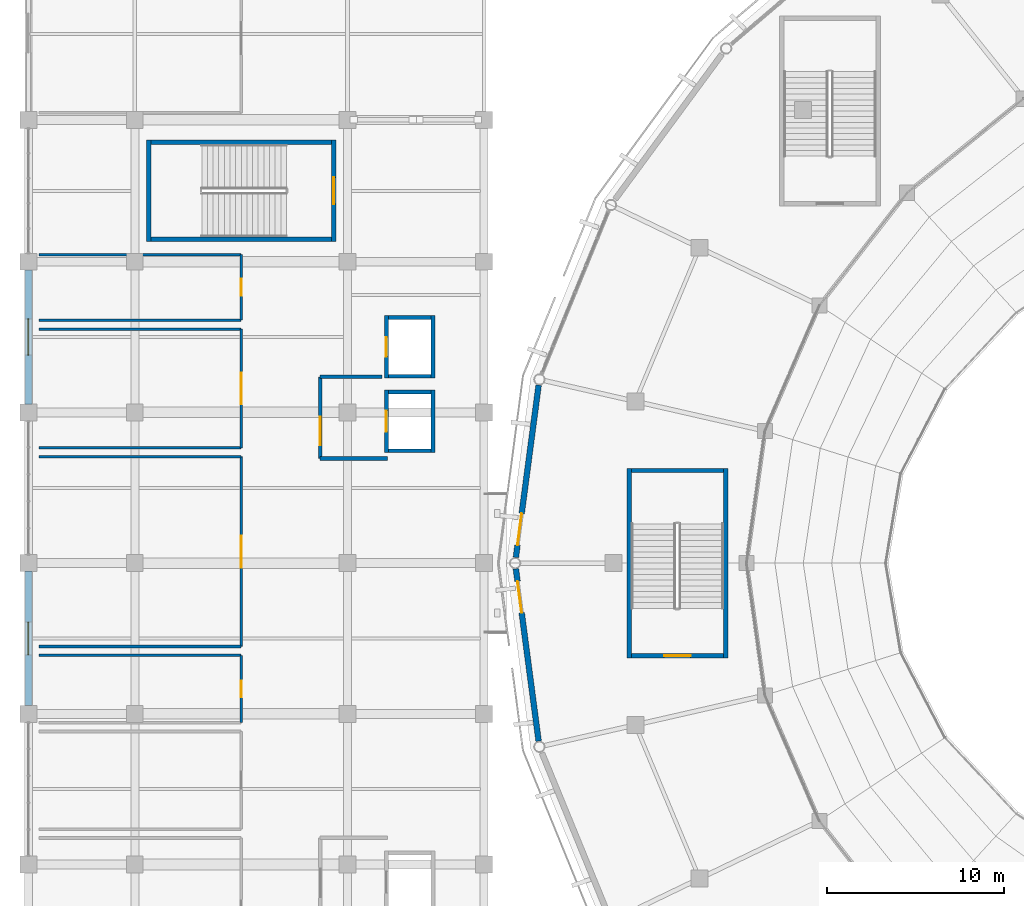
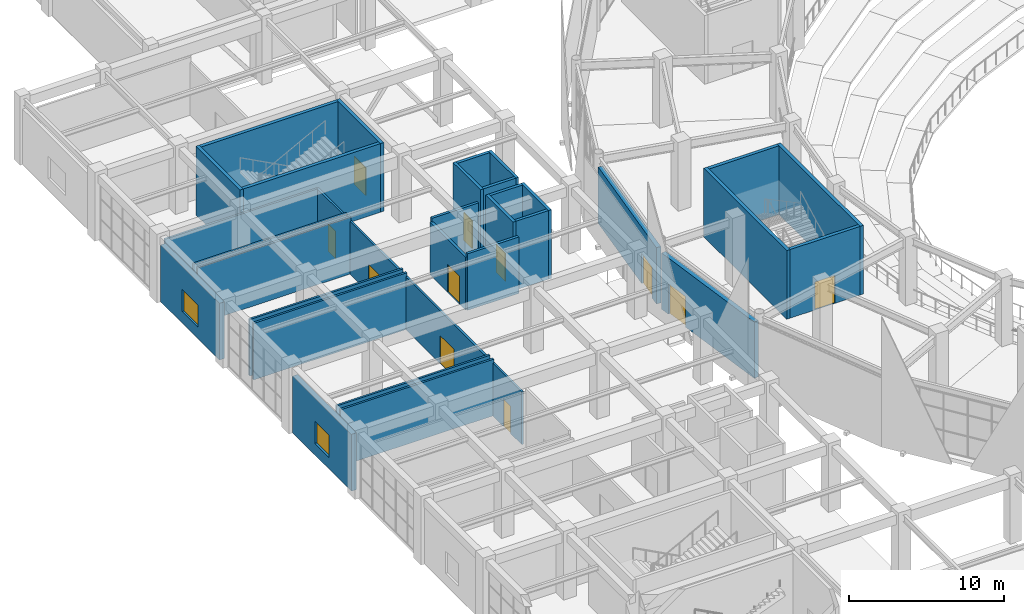
# One storey, part 77 of 120: 34 walls, 11 doors, 2 windows, 13 openings.
"""IFC4 building model written with IfcOpenShell, lengths in metres."""

from ifc_helpers import new_model, si_unit, direction, frame, frame_2d, origin, place, context, subcontext, project, spatial, rectangle, extrude, material, layer, layer_set, type_object, element, fill, save


model = new_model("IFC4")

# Units and contexts
model_context = context("Model", 3, precision=1e-05, world=origin(), true_north=direction((0.0, 1.0)))
body_context = subcontext(model_context, "Body", "Model", "MODEL_VIEW")
ifc_project = project(units=[si_unit("LENGTHUNIT", "METRE"), si_unit("AREAUNIT", "SQUARE_METRE"), si_unit("VOLUMEUNIT", "CUBIC_METRE"), si_unit("PLANEANGLEUNIT", "RADIAN"), si_unit("MASSUNIT", "GRAM", prefix="KILO")], contexts=[model_context])

# Site, building, storey
site_placement = place(None, origin())
site = spatial("IfcSite", under=ifc_project, at=site_placement, CompositionType="ELEMENT")
building_placement = place(site_placement, origin())
building = spatial("IfcBuilding", under=site, at=building_placement, Name="Cuetzalor Civic Arena", CompositionType="ELEMENT")
storey_placement = place(building_placement, frame((0.0, 0.0, 6.0)))
storey = spatial("IfcBuildingStorey", under=building, at=storey_placement, Name="L01", CompositionType="ELEMENT", Elevation=6.0)

# Wall
ifc_material_1 = material(Name="Acoustic steel-stud gypsum partition", Category="steel")
ifc_layer_1 = layer(ifc_material_1, 0.14990234375)
ifc_layer_set_1 = layer_set([ifc_layer_1], Name="Acoustic steel-stud gypsum partition")
wall_type_1 = type_object("IfcWallType", Name="AcousticGypsumPartition_150", PredefinedType="PARTITIONING", material=ifc_layer_set_1)
wall_1_placement = place(storey_placement, frame((-81.39990234375, -5.199951171875, 0.0), z_axis=(0.0, 0.0, 1.0), x_axis=(1.0, 0.0, 0.0)))
element("IfcWall", 1, at=wall_1_placement, inside=storey, type_object=wall_type_1, Name="Interior Partition IWALL:L01:0201", PredefinedType="PARTITIONING", context=body_context, shape_type="SweptSolid", body=[
    extrude(rectangle(XDim=11.39990234375, YDim=0.14990234375, at=frame_2d((5.699951171875, 0.0))), origin(), (0.0, 0.0, 1.0), 4.445068359375),
])

# Wall, opening, door
wall_2_placement = place(storey_placement, frame((-70.0, -5.199951171875, 0.0), z_axis=(0.0, 0.0, 1.0), x_axis=(0.0, -1.0, 0.0)))
wall_2 = element("IfcWall", 2, at=wall_2_placement, inside=storey, type_object=wall_type_1, Name="Interior Partition IWALL:L01:0203", PredefinedType="PARTITIONING", context=body_context, shape_type="SweptSolid", body=[
    extrude(rectangle(XDim=3.800048828125, YDim=0.14990234375, at=frame_2d((1.89990234375, 0.0))), origin(), (0.0, 0.0, 1.0), 4.14501953125),
])
opening_1_placement = place(wall_2_placement, frame((1.425048828125, 0.0, 0.0)))
opening_1 = element("IfcOpeningElement", 3, at=opening_1_placement, cuts=wall_2, Name="Opening ID-03", PredefinedType="OPENING", context=body_context, shape_type="SweptSolid", body=[
    extrude(rectangle(XDim=0.949951171875, YDim=2.14990234375, at=frame_2d((0.47509765625, 1.074951171875))), frame((0.0, 0.0849609375, 0.0), z_axis=(0.0, -1.0, 0.0), x_axis=(1.0, 0.0, 0.0)), (0.0, 0.0, 1.0), 0.169921875),
])
ifc_material_2 = material(Name="Painted steel frame and solid timber leaf", Category="steel")
door_type_1 = type_object("IfcDoorType", Name="InteriorSingleDoor_950x2150", OperationType="NOTDEFINED", PredefinedType="DOOR", material=ifc_material_2)
door_1_placement = place(opening_1_placement, origin())
door_1 = element("IfcDoor", 4, at=door_1_placement, inside=storey, type_object=door_type_1, Name="Door to Accessible WC West South L01", OperationType="SINGLE_SWING_RIGHT", OverallHeight=2.14990234375, OverallWidth=0.949951171875, PredefinedType="DOOR", context=body_context, shape_type="SweptSolid", body=[
    extrude(rectangle(XDim=0.949951171875, YDim=2.14990234375, at=frame_2d((0.47509765625, 1.074951171875))), frame((0.0, 0.02490234375, 0.0), z_axis=(0.0, -1.0, 0.0), x_axis=(1.0, 0.0, 0.0)), (0.0, 0.0, 1.0), 0.050048828125),
])
fill(opening_1, door_1)

# Walls
for number, where, z_axis, x_axis, name in (
    (5, (-81.39990234375, 6.0, 0.0), (0.0, 0.0, 1.0), (1.0, 0.0, 0.0), "Interior Partition IWALL:L01:0204"),
    (6, (-70.0, -4.699951171875, 0.0), (0.0, 0.0, 1.0), (-1.0, 0.0, 0.0), "Interior Partition IWALL:L01:0205"),
):
    element("IfcWall", number, at=place(storey_placement, frame(where, z_axis=z_axis, x_axis=x_axis)), inside=storey, type_object=wall_type_1, Name=name, PredefinedType="PARTITIONING", context=body_context, shape_type="SweptSolid", body=[
        extrude(rectangle(XDim=11.39990234375, YDim=0.14990234375, at=frame_2d((5.699951171875, 0.0))), origin(), (0.0, 0.0, 1.0), 4.445068359375),
    ])

# Wall, opening, door
wall_3_placement = place(storey_placement, frame((-70.0, 6.0, 0.0), z_axis=(0.0, 0.0, 1.0), x_axis=(0.0, -1.0, 0.0)))
wall_3 = element("IfcWall", 7, at=wall_3_placement, inside=storey, type_object=wall_type_1, Name="Interior Partition IWALL:L01:0206", PredefinedType="PARTITIONING", context=body_context, shape_type="SweptSolid", body=[
    extrude(rectangle(XDim=10.699951171875, YDim=0.14990234375, at=frame_2d((5.35009765625, 0.0))), origin(), (0.0, 0.0, 1.0), 4.14501953125),
])
opening_2_placement = place(wall_3_placement, frame((4.449951171875, 0.0, 0.0)))
opening_2 = element("IfcOpeningElement", 8, at=opening_2_placement, cuts=wall_3, Name="Opening ID-06", PredefinedType="OPENING", context=body_context, shape_type="SweptSolid", body=[
    extrude(rectangle(XDim=1.800048828125, YDim=2.199951171875, at=frame_2d((0.89990234375, 1.10009765625))), frame((0.0, 0.0849609375, 0.0), z_axis=(0.0, -1.0, 0.0), x_axis=(1.0, 0.0, 0.0)), (0.0, 0.0, 1.0), 0.169921875),
])
ifc_material_3 = material(Name="Glazed bronze acoustic double door", Category="metal")
door_type_2 = type_object("IfcDoorType", Name="PublicDoubleDoor_1800x2200", OperationType="DOUBLE_DOOR_SINGLE_SWING", PredefinedType="DOOR", material=ifc_material_3)
door_2_placement = place(opening_2_placement, origin())
door_2 = element("IfcDoor", 9, at=door_2_placement, inside=storey, type_object=door_type_2, Name="Door to Hospitality Club Lounge West L01", OperationType="DOUBLE_DOOR_SINGLE_SWING", OverallHeight=2.199951171875, OverallWidth=1.800048828125, PredefinedType="DOOR", context=body_context, shape_type="SweptSolid", body=[
    extrude(rectangle(XDim=1.800048828125, YDim=2.199951171875, at=frame_2d((0.89990234375, 1.10009765625))), frame((0.0, 0.02490234375, 0.0), z_axis=(0.0, -1.0, 0.0), x_axis=(1.0, 0.0, 0.0)), (0.0, 0.0, 1.0), 0.050048828125),
])
fill(opening_2, door_2)

# Walls
for number, where, z_axis, x_axis, name in (
    (10, (-81.39990234375, 13.199951171875, 0.0), (0.0, 0.0, 1.0), (1.0, 0.0, 0.0), "Interior Partition IWALL:L01:0207"),
    (11, (-70.0, 6.5, 0.0), (0.0, 0.0, 1.0), (-1.0, 0.0, 0.0), "Interior Partition IWALL:L01:0208"),
):
    element("IfcWall", number, at=place(storey_placement, frame(where, z_axis=z_axis, x_axis=x_axis)), inside=storey, type_object=wall_type_1, Name=name, PredefinedType="PARTITIONING", context=body_context, shape_type="SweptSolid", body=[
        extrude(rectangle(XDim=11.39990234375, YDim=0.14990234375, at=frame_2d((5.699951171875, 0.0))), origin(), (0.0, 0.0, 1.0), 4.445068359375),
    ])

# Wall, opening, door
wall_4_placement = place(storey_placement, frame((-70.0, 13.199951171875, 0.0), z_axis=(0.0, 0.0, 1.0), x_axis=(0.0, -1.0, 0.0)))
wall_4 = element("IfcWall", 12, at=wall_4_placement, inside=storey, type_object=wall_type_1, Name="Interior Partition IWALL:L01:0209", PredefinedType="PARTITIONING", context=body_context, shape_type="SweptSolid", body=[
    extrude(rectangle(XDim=6.699951171875, YDim=0.14990234375, at=frame_2d((3.35009765625, 0.0))), origin(), (0.0, 0.0, 1.0), 4.14501953125),
])
opening_3_placement = place(wall_4_placement, frame((2.449951171875, 0.0, 0.0)))
opening_3 = element("IfcOpeningElement", 13, at=opening_3_placement, cuts=wall_4, Name="Opening ID-06", PredefinedType="OPENING", context=body_context, shape_type="SweptSolid", body=[
    extrude(rectangle(XDim=1.800048828125, YDim=2.199951171875, at=frame_2d((0.89990234375, 1.10009765625))), frame((0.0, 0.0849609375, 0.0), z_axis=(0.0, -1.0, 0.0), x_axis=(1.0, 0.0, 0.0)), (0.0, 0.0, 1.0), 0.169921875),
])
door_3_placement = place(opening_3_placement, origin())
door_3 = element("IfcDoor", 14, at=door_3_placement, inside=storey, type_object=door_type_2, Name="Door to Concessions Hall West North L01", OperationType="DOUBLE_DOOR_SINGLE_SWING", OverallHeight=2.199951171875, OverallWidth=1.800048828125, PredefinedType="DOOR", context=body_context, shape_type="SweptSolid", body=[
    extrude(rectangle(XDim=1.800048828125, YDim=2.199951171875, at=frame_2d((0.89990234375, 1.10009765625))), frame((0.0, 0.02490234375, 0.0), z_axis=(0.0, -1.0, 0.0), x_axis=(1.0, 0.0, 0.0)), (0.0, 0.0, 1.0), 0.050048828125),
])
fill(opening_3, door_3)

# Walls
wall_5_placement = place(storey_placement, frame((-81.39990234375, 17.39990234375, 0.0), z_axis=(0.0, 0.0, 1.0), x_axis=(1.0, 0.0, 0.0)))
element("IfcWall", 15, at=wall_5_placement, inside=storey, type_object=wall_type_1, Name="Interior Partition IWALL:L01:0210", PredefinedType="PARTITIONING", context=body_context, shape_type="SweptSolid", body=[
    extrude(rectangle(XDim=11.39990234375, YDim=0.14990234375, at=frame_2d((5.699951171875, 0.0))), origin(), (0.0, 0.0, 1.0), 4.14501953125),
])
wall_6_placement = place(storey_placement, frame((-70.0, 13.699951171875, 0.0), z_axis=(0.0, 0.0, 1.0), x_axis=(-1.0, 0.0, 0.0)))
element("IfcWall", 16, at=wall_6_placement, inside=storey, type_object=wall_type_1, Name="Interior Partition IWALL:L01:0211", PredefinedType="PARTITIONING", context=body_context, shape_type="SweptSolid", body=[
    extrude(rectangle(XDim=11.39990234375, YDim=0.14990234375, at=frame_2d((5.699951171875, 0.0))), origin(), (0.0, 0.0, 1.0), 4.445068359375),
])

# Wall, opening, door
wall_7_placement = place(storey_placement, frame((-70.0, 17.39990234375, 0.0), z_axis=(0.0, 0.0, 1.0), x_axis=(0.0, -1.0, 0.0)))
wall_7 = element("IfcWall", 17, at=wall_7_placement, inside=storey, type_object=wall_type_1, Name="Interior Partition IWALL:L01:0212", PredefinedType="PARTITIONING", context=body_context, shape_type="SweptSolid", body=[
    extrude(rectangle(XDim=3.699951171875, YDim=0.14990234375, at=frame_2d((1.85009765625, 0.0))), origin(), (0.0, 0.0, 1.0), 4.14501953125),
])
opening_4_placement = place(wall_7_placement, frame((1.375, 0.0, 0.0)))
opening_4 = element("IfcOpeningElement", 18, at=opening_4_placement, cuts=wall_7, Name="Opening ID-03", PredefinedType="OPENING", context=body_context, shape_type="SweptSolid", body=[
    extrude(rectangle(XDim=0.949951171875, YDim=2.14990234375, at=frame_2d((0.47509765625, 1.074951171875))), frame((0.0, 0.0849609375, 0.0), z_axis=(0.0, -1.0, 0.0), x_axis=(1.0, 0.0, 0.0)), (0.0, 0.0, 1.0), 0.169921875),
])
door_4_placement = place(opening_4_placement, origin())
door_4 = element("IfcDoor", 19, at=door_4_placement, inside=storey, type_object=door_type_1, Name="Door to Public Restroom West North L01", OperationType="SINGLE_SWING_LEFT", OverallHeight=2.14990234375, OverallWidth=0.949951171875, PredefinedType="DOOR", context=body_context, shape_type="SweptSolid", body=[
    extrude(rectangle(XDim=0.949951171875, YDim=2.14990234375, at=frame_2d((0.47509765625, 1.074951171875))), frame((0.0, 0.02490234375, 0.0), z_axis=(0.0, -1.0, 0.0), x_axis=(1.0, 0.0, 0.0)), (0.0, 0.0, 1.0), 0.050048828125),
])
fill(opening_4, door_4)

# Walls
ifc_material_4 = material(Name="Concrete C40/50", Category="concrete")
ifc_layer_2 = layer(ifc_material_4, 0.25)
ifc_layer_set_2 = layer_set([ifc_layer_2], Name="Concrete C40/50")
wall_type_2 = type_object("IfcWallType", Name="ConcreteCoreShearWall_250", PredefinedType="SHEAR", material=ifc_layer_set_2)
wall_8_placement = place(storey_placement, frame((-48.125, -5.35009765625, 0.0), z_axis=(0.0, 0.0, 1.0), x_axis=(0.0, 1.0, 0.0)))
element("IfcWall", 20, at=wall_8_placement, inside=storey, type_object=wall_type_2, Name="Stair Core Shear Wall ST-05-L01-W", PredefinedType="SHEAR", context=body_context, shape_type="SweptSolid", body=[
    extrude(rectangle(XDim=10.7001953125, YDim=0.25, at=frame_2d((5.35009765625, 0.0))), origin(), (0.0, 0.0, 1.0), 5.39990234375),
])
wall_9_placement = place(storey_placement, frame((-48.0, 5.22509765625, 0.0), z_axis=(0.0, 0.0, 1.0), x_axis=(1.0, 0.0, 0.0)))
element("IfcWall", 21, at=wall_9_placement, inside=storey, type_object=wall_type_2, Name="Stair Core Shear Wall ST-05-L01-N", PredefinedType="SHEAR", context=body_context, shape_type="SweptSolid", body=[
    extrude(rectangle(XDim=5.199951171875, YDim=0.25, at=frame_2d((2.60009765625, 0.0))), origin(), (0.0, 0.0, 1.0), 5.39990234375),
])
wall_10_placement = place(storey_placement, frame((-42.675048828125, 5.35009765625, 0.0), z_axis=(0.0, 0.0, 1.0), x_axis=(0.0, -1.0, 0.0)))
element("IfcWall", 22, at=wall_10_placement, inside=storey, type_object=wall_type_2, Name="Stair Core Shear Wall ST-05-L01-E", PredefinedType="SHEAR", context=body_context, shape_type="SweptSolid", body=[
    extrude(rectangle(XDim=10.7001953125, YDim=0.25, at=frame_2d((5.35009765625, 0.0))), origin(), (0.0, 0.0, 1.0), 5.39990234375),
])

# Wall, opening, door
wall_11_placement = place(storey_placement, frame((-42.800048828125, -5.22509765625, 0.0), z_axis=(0.0, 0.0, 1.0), x_axis=(-1.0, 0.0, 0.0)))
wall_11 = element("IfcWall", 23, at=wall_11_placement, inside=storey, type_object=wall_type_2, Name="Stair Core Shear Wall ST-05-L01-S", PredefinedType="SHEAR", context=body_context, shape_type="SweptSolid", body=[
    extrude(rectangle(XDim=5.199951171875, YDim=0.25, at=frame_2d((2.60009765625, 0.0))), origin(), (0.0, 0.0, 1.0), 5.39990234375),
])
opening_5_placement = place(wall_11_placement, frame((1.85009765625, 0.0, 0.0)))
opening_5 = element("IfcOpeningElement", 24, at=opening_5_placement, cuts=wall_11, Name="Opening FD-03", PredefinedType="OPENING", context=body_context, shape_type="SweptSolid", body=[
    extrude(rectangle(XDim=1.5, YDim=2.199951171875, at=frame_2d((0.75, 1.10009765625))), frame((0.0, 0.135009765625, 0.0), z_axis=(0.0, -1.0, 0.0), x_axis=(1.0, 0.0, 0.0)), (0.0, 0.0, 1.0), 0.27001953125),
])
ifc_material_5 = material(Name="Fire-rated steel stair exit double door", Category="steel")
door_type_3 = type_object("IfcDoorType", Name="StairFireDoubleDoor_1500x2200", OperationType="DOUBLE_DOOR_SINGLE_SWING", PredefinedType="DOOR", material=ifc_material_5)
door_5_placement = place(opening_5_placement, origin())
door_5 = element("IfcDoor", 25, at=door_5_placement, inside=storey, type_object=door_type_3, Name="Fire Stair Door ST-05 L01", OperationType="DOUBLE_DOOR_SINGLE_SWING", OverallHeight=2.199951171875, OverallWidth=1.5, PredefinedType="DOOR", context=body_context, shape_type="SweptSolid", body=[
    extrude(rectangle(XDim=1.5, YDim=2.199951171875, at=frame_2d((0.75, 1.10009765625))), frame((0.0, 0.02490234375, 0.0), z_axis=(0.0, -1.0, 0.0), x_axis=(1.0, 0.0, 0.0)), (0.0, 0.0, 1.0), 0.050048828125),
])
fill(opening_5, door_5)

# Walls
wall_12_placement = place(storey_placement, frame((-75.22509765625, 18.14990234375, 0.0), z_axis=(0.0, 0.0, 1.0), x_axis=(0.0, 1.0, 0.0)))
element("IfcWall", 26, at=wall_12_placement, inside=storey, type_object=wall_type_2, Name="Stair Core Shear Wall ST-17-L01-W", PredefinedType="SHEAR", context=body_context, shape_type="SweptSolid", body=[
    extrude(rectangle(XDim=5.7001953125, YDim=0.25, at=frame_2d((2.85009765625, 0.0))), origin(), (0.0, 0.0, 1.0), 5.39990234375),
])
wall_13_placement = place(storey_placement, frame((-75.10009765625, 23.72509765625, 0.0), z_axis=(0.0, 0.0, 1.0), x_axis=(1.0, 0.0, 0.0)))
element("IfcWall", 27, at=wall_13_placement, inside=storey, type_object=wall_type_2, Name="Stair Core Shear Wall ST-17-L01-N", PredefinedType="SHEAR", context=body_context, shape_type="SweptSolid", body=[
    extrude(rectangle(XDim=10.2001953125, YDim=0.25, at=frame_2d((5.10009765625, 0.0))), origin(), (0.0, 0.0, 1.0), 5.39990234375),
])

# Wall, opening, door
wall_14_placement = place(storey_placement, frame((-64.77490234375, 23.85009765625, 0.0), z_axis=(0.0, 0.0, 1.0), x_axis=(0.0, -1.0, 0.0)))
wall_14 = element("IfcWall", 28, at=wall_14_placement, inside=storey, type_object=wall_type_2, Name="Stair Core Shear Wall ST-17-L01-E", PredefinedType="SHEAR", context=body_context, shape_type="SweptSolid", body=[
    extrude(rectangle(XDim=5.7001953125, YDim=0.25, at=frame_2d((2.85009765625, 0.0))), origin(), (0.0, 0.0, 1.0), 5.39990234375),
])
opening_6_placement = place(wall_14_placement, frame((2.10009765625, 0.0, 0.0)))
opening_6 = element("IfcOpeningElement", 29, at=opening_6_placement, cuts=wall_14, Name="Opening FD-03", PredefinedType="OPENING", context=body_context, shape_type="SweptSolid", body=[
    extrude(rectangle(XDim=1.5, YDim=2.199951171875, at=frame_2d((0.75, 1.10009765625))), frame((0.0, 0.135009765625, 0.0), z_axis=(0.0, -1.0, 0.0), x_axis=(1.0, 0.0, 0.0)), (0.0, 0.0, 1.0), 0.27001953125),
])
door_6_placement = place(opening_6_placement, origin())
door_6 = element("IfcDoor", 30, at=door_6_placement, inside=storey, type_object=door_type_3, Name="Fire Stair Door ST-17 L01", OperationType="DOUBLE_DOOR_SINGLE_SWING", OverallHeight=2.199951171875, OverallWidth=1.5, PredefinedType="DOOR", context=body_context, shape_type="SweptSolid", body=[
    extrude(rectangle(XDim=1.5, YDim=2.199951171875, at=frame_2d((0.75, 1.10009765625))), frame((0.0, 0.02490234375, 0.0), z_axis=(0.0, -1.0, 0.0), x_axis=(1.0, 0.0, 0.0)), (0.0, 0.0, 1.0), 0.050048828125),
])
fill(opening_6, door_6)

# Wall
wall_15_placement = place(storey_placement, frame((-64.89990234375, 18.27490234375, 0.0), z_axis=(0.0, 0.0, 1.0), x_axis=(-1.0, 0.0, 0.0)))
element("IfcWall", 31, at=wall_15_placement, inside=storey, type_object=wall_type_2, Name="Stair Core Shear Wall ST-17-L01-S", PredefinedType="SHEAR", context=body_context, shape_type="SweptSolid", body=[
    extrude(rectangle(XDim=10.2001953125, YDim=0.25, at=frame_2d((5.10009765625, 0.0))), origin(), (0.0, 0.0, 1.0), 5.39990234375),
])

# Wall, opening, door
ifc_material_6 = material(Name="Fire-rated masonry and gypsum partition", Category="masonry")
ifc_layer_3 = layer(ifc_material_6, 0.199951171875)
ifc_layer_set_3 = layer_set([ifc_layer_3], Name="Fire-rated masonry and gypsum partition")
wall_type_3 = type_object("IfcWallType", Name="FireCompartmentWall_200", PredefinedType="PARTITIONING", material=ifc_layer_set_3)
wall_16_placement = place(storey_placement, frame((-65.550048828125, 5.89990234375, 0.0), z_axis=(0.0, 0.0, 1.0), x_axis=(0.0, 1.0, 0.0)))
wall_16 = element("IfcWall", 32, at=wall_16_placement, inside=storey, type_object=wall_type_3, Name="Interior Partition IWALL:L01:0022", PredefinedType="PARTITIONING", context=body_context, shape_type="SweptSolid", body=[
    extrude(rectangle(XDim=4.60009765625, YDim=0.199951171875, at=frame_2d((2.300048828125, 0.0))), origin(), (0.0, 0.0, 1.0), 4.14501953125),
])
opening_7_placement = place(wall_16_placement, frame((0.75, 0.0, 0.0)))
opening_7 = element("IfcOpeningElement", 33, at=opening_7_placement, cuts=wall_16, Name="Opening FD-05", PredefinedType="OPENING", context=body_context, shape_type="SweptSolid", body=[
    extrude(rectangle(XDim=1.60009765625, YDim=2.199951171875, at=frame_2d((0.800048828125, 1.10009765625))), frame((0.0, 0.10986328125, 0.0), z_axis=(0.0, -1.0, 0.0), x_axis=(1.0, 0.0, 0.0)), (0.0, 0.0, 1.0), 0.219970703125),
])
ifc_material_7 = material(Name="Fire-rated smoke-seal lobby double door", Category="steel")
door_type_4 = type_object("IfcDoorType", Name="FireLobbyDoubleDoor_1600x2200", OperationType="DOUBLE_DOOR_SINGLE_SWING", PredefinedType="DOOR", material=ifc_material_7)
door_7_placement = place(opening_7_placement, origin())
door_7 = element("IfcDoor", 34, at=door_7_placement, inside=storey, type_object=door_type_4, Name="Door to Firefighting Lift Lobby LF-02 L01", OperationType="DOUBLE_DOOR_SINGLE_SWING", OverallHeight=2.199951171875, OverallWidth=1.60009765625, PredefinedType="DOOR", context=body_context, shape_type="SweptSolid", body=[
    extrude(rectangle(XDim=1.60009765625, YDim=2.199951171875, at=frame_2d((0.800048828125, 1.10009765625))), frame((0.0, 0.02490234375, 0.0), z_axis=(0.0, -1.0, 0.0), x_axis=(1.0, 0.0, 0.0)), (0.0, 0.0, 1.0), 0.050048828125),
])
fill(opening_7, door_7)

# Walls
wall_17_placement = place(storey_placement, frame((-65.550048828125, 10.5, 0.0), z_axis=(0.0, 0.0, 1.0), x_axis=(1.0, 0.0, 0.0)))
element("IfcWall", 35, at=wall_17_placement, inside=storey, type_object=wall_type_3, Name="Interior Partition IWALL:L01:0023", PredefinedType="PARTITIONING", context=body_context, shape_type="SweptSolid", body=[
    extrude(rectangle(XDim=3.47998046875, YDim=0.199951171875, at=frame_2d((1.739990234375, 0.0))), origin(), (0.0, 0.0, 1.0), 4.445068359375),
])
wall_18_placement = place(storey_placement, frame((-61.75, 5.89990234375, 0.0), z_axis=(0.0, 0.0, 1.0), x_axis=(-1.0, 0.0, 0.0)))
element("IfcWall", 36, at=wall_18_placement, inside=storey, type_object=wall_type_3, Name="Interior Partition IWALL:L01:0024", PredefinedType="PARTITIONING", context=body_context, shape_type="SweptSolid", body=[
    extrude(rectangle(XDim=3.800048828125, YDim=0.199951171875, at=frame_2d((1.89990234375, 0.0))), origin(), (0.0, 0.0, 1.0), 4.445068359375),
])

# Wall, opening, door
ifc_material_8 = material(Name="Precast concrete C40/50 insulated cladding", Category="concrete")
ifc_layer_4 = layer(ifc_material_8, 0.320068359375)
ifc_layer_set_4 = layer_set([ifc_layer_4], Name="Precast concrete C40/50 insulated cladding")
wall_type_4 = type_object("IfcWallType", Name="InsulatedPrecastWall_320", PredefinedType="SOLIDWALL", material=ifc_layer_set_4)
wall_19_placement = place(storey_placement, frame((-54.507568359375, 0.321533203125, 0.0), z_axis=(0.0, 0.0, 1.0), x_axis=(0.130894016981, 0.991396366908, 0.0)))
wall_19 = element("IfcWall", 37, at=wall_19_placement, inside=storey, type_object=wall_type_4, Name="Drum Acoustic Backing Wall L01-016", PredefinedType="SOLIDWALL", context=body_context, shape_type="SweptSolid", body=[
    extrude(rectangle(XDim=9.799560546875, YDim=0.320068359375, at=frame_2d((4.89990234375, 0.0))), origin(), (0.0, 0.0, 1.0), 4.431884765625),
])
opening_8_placement = place(wall_19_placement, frame((0.699951171875, 0.0, 0.0)))
opening_8 = element("IfcOpeningElement", 38, at=opening_8_placement, cuts=wall_19, Name="Opening ED-09", PredefinedType="OPENING", context=body_context, shape_type="SweptSolid", body=[
    extrude(rectangle(XDim=1.800048828125, YDim=2.39990234375, at=frame_2d((0.89990234375, 1.199951171875))), frame((0.0, 0.169921875, 0.0), z_axis=(0.0, -1.0, 0.0), x_axis=(1.0, 0.0, 0.0)), (0.0, 0.0, 1.0), 0.340087890625),
])
ifc_material_9 = material(Name="Thermally broken bronze steel and laminated glass", Category="steel")
door_type_5 = type_object("IfcDoorType", Name="RoofGardenGlazedDoor_1800x2400", OperationType="DOUBLE_DOOR_SINGLE_SWING", PredefinedType="DOOR", material=ifc_material_9)
door_8_placement = place(opening_8_placement, origin())
door_8 = element("IfcDoor", 39, at=door_8_placement, inside=storey, type_object=door_type_5, Name="Seismic Bridge Circulation Door L01-S14", OperationType="DOUBLE_DOOR_SINGLE_SWING", OverallHeight=2.39990234375, OverallWidth=1.800048828125, PredefinedType="DOOR", context=body_context, shape_type="SweptSolid", body=[
    extrude(rectangle(XDim=1.800048828125, YDim=2.39990234375, at=frame_2d((0.89990234375, 1.199951171875))), frame((0.0, 0.02490234375, 0.0), z_axis=(0.0, -1.0, 0.0), x_axis=(1.0, 0.0, 0.0)), (0.0, 0.0, 1.0), 0.050048828125),
])
fill(opening_8, door_8)

wall_20_placement = place(storey_placement, frame((-53.224853515625, -10.036865234375, 0.0), z_axis=(0.0, 0.0, 1.0), x_axis=(-0.130894016981, 0.991396366908, 0.0)))
wall_20 = element("IfcWall", 40, at=wall_20_placement, inside=storey, type_object=wall_type_4, Name="Drum Acoustic Backing Wall L01-017", PredefinedType="SOLIDWALL", context=body_context, shape_type="SweptSolid", body=[
    extrude(rectangle(XDim=9.799560546875, YDim=0.320068359375, at=frame_2d((4.89990234375, 0.0))), origin(), (0.0, 0.0, 1.0), 4.431884765625),
])
opening_9_placement = place(wall_20_placement, frame((7.299560546875, 0.0, 0.0)))
opening_9 = element("IfcOpeningElement", 41, at=opening_9_placement, cuts=wall_20, Name="Opening ED-09", PredefinedType="OPENING", context=body_context, shape_type="SweptSolid", body=[
    extrude(rectangle(XDim=1.800048828125, YDim=2.39990234375, at=frame_2d((0.89990234375, 1.199951171875))), frame((0.0, 0.169921875, 0.0), z_axis=(0.0, -1.0, 0.0), x_axis=(1.0, 0.0, 0.0)), (0.0, 0.0, 1.0), 0.340087890625),
])
door_9_placement = place(opening_9_placement, origin())
door_9 = element("IfcDoor", 42, at=door_9_placement, inside=storey, type_object=door_type_5, Name="Seismic Bridge Circulation Door L01-S15", OperationType="DOUBLE_DOOR_SINGLE_SWING", OverallHeight=2.39990234375, OverallWidth=1.800048828125, PredefinedType="DOOR", context=body_context, shape_type="SweptSolid", body=[
    extrude(rectangle(XDim=1.800048828125, YDim=2.39990234375, at=frame_2d((0.89990234375, 1.199951171875))), frame((0.0, 0.02490234375, 0.0), z_axis=(0.0, -1.0, 0.0), x_axis=(1.0, 0.0, 0.0)), (0.0, 0.0, 1.0), 0.050048828125),
])
fill(opening_9, door_9)

ifc_material_10 = material(Name="Concrete C40/50", Category="concrete")
ifc_layer_5 = layer(ifc_material_10, 0.219970703125)
ifc_layer_set_5 = layer_set([ifc_layer_5], Name="Concrete C40/50")
wall_type_5 = type_object("IfcWallType", Name="LiftShaftShearWall_220", PredefinedType="SHEAR", material=ifc_layer_set_5)
wall_21_placement = place(storey_placement, frame((-61.81005859375, 6.22998046875, 0.0), z_axis=(0.0, 0.0, 1.0), x_axis=(0.0, 1.0, 0.0)))
wall_21 = element("IfcWall", 43, at=wall_21_placement, inside=storey, type_object=wall_type_5, Name="Lift Shaft Wall LF-02-L01-W", PredefinedType="SHEAR", context=body_context, shape_type="SweptSolid", body=[
    extrude(rectangle(XDim=3.5400390625, YDim=0.219970703125, at=frame_2d((1.77001953125, 0.0))), origin(), (0.0, 0.0, 1.0), 5.39990234375),
])
opening_10_placement = place(wall_21_placement, frame((1.169921875, 0.0, 0.0)))
opening_10 = element("IfcOpeningElement", 44, at=opening_10_placement, cuts=wall_21, Name="Opening LD-02", PredefinedType="OPENING", context=body_context, shape_type="SweptSolid", body=[
    extrude(rectangle(XDim=1.199951171875, YDim=2.199951171875, at=frame_2d((0.60009765625, 1.10009765625))), frame((0.0, 0.1201171875, 0.0), z_axis=(0.0, -1.0, 0.0), x_axis=(1.0, 0.0, 0.0)), (0.0, 0.0, 1.0), 0.239990234375),
])
ifc_material_11 = material(Name="Fire-rated stainless steel sliding lift landing door", Category="steel")
door_type_6 = type_object("IfcDoorType", Name="LiftLandingSlidingDoor_1200x2200", OperationType="SLIDING_TO_LEFT", PredefinedType="DOOR", material=ifc_material_11)
door_10_placement = place(opening_10_placement, origin())
door_10 = element("IfcDoor", 45, at=door_10_placement, inside=storey, type_object=door_type_6, Name="Lift Landing Sliding Door LF-02 L01", OperationType="SLIDING_TO_LEFT", OverallHeight=2.199951171875, OverallWidth=1.199951171875, PredefinedType="DOOR", context=body_context, shape_type="SweptSolid", body=[
    extrude(rectangle(XDim=1.199951171875, YDim=2.199951171875, at=frame_2d((0.60009765625, 1.10009765625))), frame((0.0, 0.02490234375, 0.0), z_axis=(0.0, -1.0, 0.0), x_axis=(1.0, 0.0, 0.0)), (0.0, 0.0, 1.0), 0.050048828125),
])
fill(opening_10, door_10)

# Walls
wall_22_placement = place(storey_placement, frame((-61.699951171875, 9.659912109375, 0.0), z_axis=(0.0, 0.0, 1.0), x_axis=(1.0, 0.0, 0.0)))
element("IfcWall", 46, at=wall_22_placement, inside=storey, type_object=wall_type_5, Name="Lift Shaft Wall LF-02-L01-N", PredefinedType="SHEAR", context=body_context, shape_type="SweptSolid", body=[
    extrude(rectangle(XDim=2.39990234375, YDim=0.219970703125, at=frame_2d((1.199951171875, 0.0))), origin(), (0.0, 0.0, 1.0), 5.39990234375),
])
wall_23_placement = place(storey_placement, frame((-59.18994140625, 9.77001953125, 0.0), z_axis=(0.0, 0.0, 1.0), x_axis=(0.0, -1.0, 0.0)))
element("IfcWall", 47, at=wall_23_placement, inside=storey, type_object=wall_type_5, Name="Lift Shaft Wall LF-02-L01-E", PredefinedType="SHEAR", context=body_context, shape_type="SweptSolid", body=[
    extrude(rectangle(XDim=3.5400390625, YDim=0.219970703125, at=frame_2d((1.77001953125, 0.0))), origin(), (0.0, 0.0, 1.0), 5.39990234375),
])
wall_24_placement = place(storey_placement, frame((-59.300048828125, 6.340087890625, 0.0), z_axis=(0.0, 0.0, 1.0), x_axis=(-1.0, 0.0, 0.0)))
element("IfcWall", 48, at=wall_24_placement, inside=storey, type_object=wall_type_5, Name="Lift Shaft Wall LF-02-L01-S", PredefinedType="SHEAR", context=body_context, shape_type="SweptSolid", body=[
    extrude(rectangle(XDim=2.39990234375, YDim=0.219970703125, at=frame_2d((1.199951171875, 0.0))), origin(), (0.0, 0.0, 1.0), 5.39990234375),
])

# Wall, opening, door
wall_25_placement = place(storey_placement, frame((-61.81005859375, 10.429931640625, 0.0), z_axis=(0.0, 0.0, 1.0), x_axis=(0.0, 1.0, 0.0)))
wall_25 = element("IfcWall", 49, at=wall_25_placement, inside=storey, type_object=wall_type_5, Name="Lift Shaft Wall LP-04-L01-W", PredefinedType="SHEAR", context=body_context, shape_type="SweptSolid", body=[
    extrude(rectangle(XDim=3.5400390625, YDim=0.219970703125, at=frame_2d((1.77001953125, 0.0))), origin(), (0.0, 0.0, 1.0), 5.39990234375),
])
opening_11_placement = place(wall_25_placement, frame((1.219970703125, 0.0, 0.0)))
opening_11 = element("IfcOpeningElement", 50, at=opening_11_placement, cuts=wall_25, Name="Opening LD-01", PredefinedType="OPENING", context=body_context, shape_type="SweptSolid", body=[
    extrude(rectangle(XDim=1.10009765625, YDim=2.199951171875, at=frame_2d((0.550048828125, 1.10009765625))), frame((0.0, 0.1201171875, 0.0), z_axis=(0.0, -1.0, 0.0), x_axis=(1.0, 0.0, 0.0)), (0.0, 0.0, 1.0), 0.239990234375),
])
ifc_material_12 = material(Name="Brushed stainless steel sliding lift landing door", Category="steel")
door_type_7 = type_object("IfcDoorType", Name="LiftLandingSlidingDoor_1100x2200", OperationType="SLIDING_TO_LEFT", PredefinedType="DOOR", material=ifc_material_12)
door_11_placement = place(opening_11_placement, origin())
door_11 = element("IfcDoor", 51, at=door_11_placement, inside=storey, type_object=door_type_7, Name="Lift Landing Sliding Door LP-04 L01", OperationType="SLIDING_TO_LEFT", OverallHeight=2.199951171875, OverallWidth=1.10009765625, PredefinedType="DOOR", context=body_context, shape_type="SweptSolid", body=[
    extrude(rectangle(XDim=1.10009765625, YDim=2.199951171875, at=frame_2d((0.550048828125, 1.10009765625))), frame((0.0, 0.02490234375, 0.0), z_axis=(0.0, -1.0, 0.0), x_axis=(1.0, 0.0, 0.0)), (0.0, 0.0, 1.0), 0.050048828125),
])
fill(opening_11, door_11)

# Walls
wall_26_placement = place(storey_placement, frame((-61.699951171875, 13.860107421875, 0.0), z_axis=(0.0, 0.0, 1.0), x_axis=(1.0, 0.0, 0.0)))
element("IfcWall", 52, at=wall_26_placement, inside=storey, type_object=wall_type_5, Name="Lift Shaft Wall LP-04-L01-N", PredefinedType="SHEAR", context=body_context, shape_type="SweptSolid", body=[
    extrude(rectangle(XDim=2.39990234375, YDim=0.219970703125, at=frame_2d((1.199951171875, 0.0))), origin(), (0.0, 0.0, 1.0), 5.39990234375),
])
wall_27_placement = place(storey_placement, frame((-59.18994140625, 13.969970703125, 0.0), z_axis=(0.0, 0.0, 1.0), x_axis=(0.0, -1.0, 0.0)))
element("IfcWall", 53, at=wall_27_placement, inside=storey, type_object=wall_type_5, Name="Lift Shaft Wall LP-04-L01-E", PredefinedType="SHEAR", context=body_context, shape_type="SweptSolid", body=[
    extrude(rectangle(XDim=3.5400390625, YDim=0.219970703125, at=frame_2d((1.77001953125, 0.0))), origin(), (0.0, 0.0, 1.0), 5.39990234375),
])
wall_28_placement = place(storey_placement, frame((-59.300048828125, 10.5400390625, 0.0), z_axis=(0.0, 0.0, 1.0), x_axis=(-1.0, 0.0, 0.0)))
element("IfcWall", 54, at=wall_28_placement, inside=storey, type_object=wall_type_5, Name="Lift Shaft Wall LP-04-L01-S", PredefinedType="SHEAR", context=body_context, shape_type="SweptSolid", body=[
    extrude(rectangle(XDim=2.39990234375, YDim=0.219970703125, at=frame_2d((1.199951171875, 0.0))), origin(), (0.0, 0.0, 1.0), 5.39990234375),
])

# Wall, opening, window
ifc_material_13 = material(Name="Polychrome Talavera ceramic on Concrete C35/45", Category="concrete")
ifc_layer_6 = layer(ifc_material_13, 0.3798828125)
ifc_layer_set_6 = layer_set([ifc_layer_6], Name="Polychrome Talavera ceramic on Concrete C35/45")
wall_type_6 = type_object("IfcWallType", Name="TalaveraSpandrelWall_380", PredefinedType="SOLIDWALL", material=ifc_layer_set_6)
wall_29_placement = place(storey_placement, frame((-82.0, -8.04296875, 0.0), z_axis=(0.0, 0.0, 1.0), x_axis=(0.0, 1.0, 0.0)))
wall_29 = element("IfcWall", 55, at=wall_29_placement, inside=storey, type_object=wall_type_6, Name="V4W Outer Talavera Wall L01-128", PredefinedType="SOLIDWALL", context=body_context, shape_type="SweptSolid", body=[
    extrude(rectangle(XDim=7.5859375, YDim=0.3798828125, at=frame_2d((3.79296875, 0.0))), origin(), (0.0, 0.0, 1.0), 4.4599609375),
])
opening_12_placement = place(wall_29_placement, frame((2.867919921875, 0.0, 0.89990234375)))
opening_12 = element("IfcOpeningElement", 56, at=opening_12_placement, cuts=wall_29, Name="Opening WN-23", PredefinedType="OPENING", context=body_context, shape_type="SweptSolid", body=[
    extrude(rectangle(XDim=1.85009765625, YDim=1.75, at=frame_2d((0.925048828125, 0.875))), frame((0.0, 0.199951171875, 0.0), z_axis=(0.0, -1.0, 0.0), x_axis=(1.0, 0.0, 0.0)), (0.0, 0.0, 1.0), 0.39990234375),
])
ifc_material_14 = material(Name="Anodised bronze aluminium and low-E solar glass", Category="aluminium")
window_type_1 = type_object("IfcWindowType", Name="BronzeThermalWindow_1850x1750", PartitioningType="SINGLE_PANEL", PredefinedType="WINDOW", material=ifc_material_14)
window_1_placement = place(opening_12_placement, origin())
window_1 = element("IfcWindow", 57, at=window_1_placement, inside=storey, type_object=window_type_1, Name="V4W Facade Window L01-0023", OverallHeight=1.75, OverallWidth=1.85009765625, PartitioningType="SINGLE_PANEL", PredefinedType="WINDOW", context=body_context, shape_type="SweptSolid", body=[
    extrude(rectangle(XDim=1.85009765625, YDim=1.75, at=frame_2d((0.925048828125, 0.875))), frame((0.0, 0.030029296875, 0.0), z_axis=(0.0, -1.0, 0.0), x_axis=(1.0, 0.0, 0.0)), (0.0, 0.0, 1.0), 0.06005859375),
])
fill(opening_12, window_1)

wall_30_placement = place(storey_placement, frame((-82.0, 8.95703125, 0.0), z_axis=(0.0, 0.0, 1.0), x_axis=(0.0, 1.0, 0.0)))
wall_30 = element("IfcWall", 58, at=wall_30_placement, inside=storey, type_object=wall_type_6, Name="V4W Outer Talavera Wall L01-129", PredefinedType="SOLIDWALL", context=body_context, shape_type="SweptSolid", body=[
    extrude(rectangle(XDim=7.5859375, YDim=0.3798828125, at=frame_2d((3.79296875, 0.0))), origin(), (0.0, 0.0, 1.0), 4.4599609375),
])
opening_13_placement = place(wall_30_placement, frame((2.76806640625, 0.0, 0.89990234375)))
opening_13 = element("IfcOpeningElement", 59, at=opening_13_placement, cuts=wall_30, Name="Opening WN-24", PredefinedType="OPENING", context=body_context, shape_type="SweptSolid", body=[
    extrude(rectangle(XDim=2.050048828125, YDim=1.75, at=frame_2d((1.02490234375, 0.875))), frame((0.0, 0.199951171875, 0.0), z_axis=(0.0, -1.0, 0.0), x_axis=(1.0, 0.0, 0.0)), (0.0, 0.0, 1.0), 0.39990234375),
])
ifc_material_15 = material(Name="Anodised bronze aluminium and low-E solar glass", Category="aluminium")
window_type_2 = type_object("IfcWindowType", Name="BronzeThermalWindow_2050x1750", PartitioningType="DOUBLE_PANEL_VERTICAL", PredefinedType="WINDOW", material=ifc_material_15)
window_2_placement = place(opening_13_placement, origin())
window_2 = element("IfcWindow", 60, at=window_2_placement, inside=storey, type_object=window_type_2, Name="V4W Facade Window L01-0024", OverallHeight=1.75, OverallWidth=2.050048828125, PartitioningType="SINGLE_PANEL", PredefinedType="WINDOW", context=body_context, shape_type="SweptSolid", body=[
    extrude(rectangle(XDim=2.050048828125, YDim=1.75, at=frame_2d((1.02490234375, 0.875))), frame((0.0, 0.030029296875, 0.0), z_axis=(0.0, -1.0, 0.0), x_axis=(1.0, 0.0, 0.0)), (0.0, 0.0, 1.0), 0.06005859375),
])
fill(opening_13, window_2)

save(model, "model.ifc")
